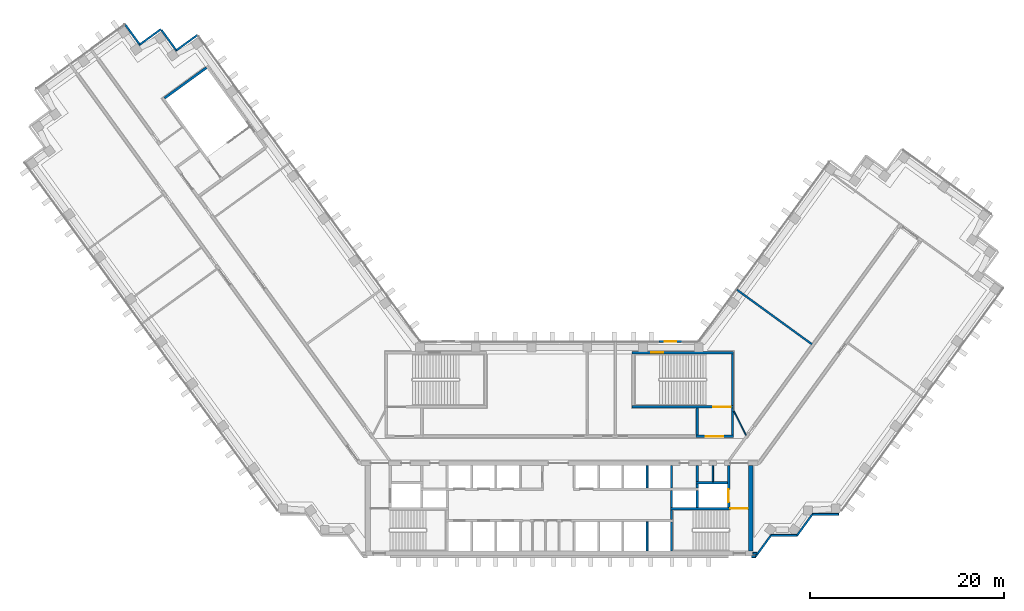
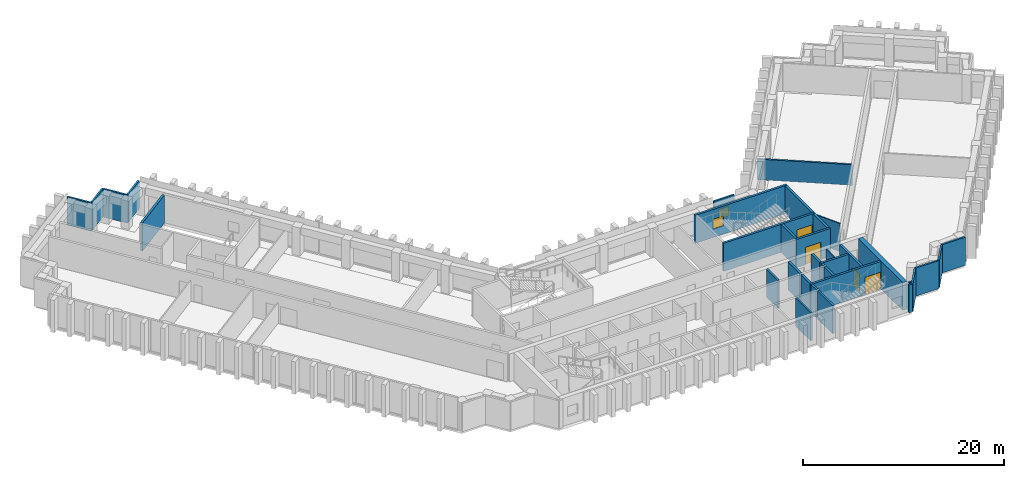
# One storey, part 7 of 11: 34 walls, 4 doors, 2 windows, 6 openings.
"""IFC4 building model written with IfcOpenShell, lengths in metres."""

from ifc_helpers import new_model, si_unit, direction, frame, frame_2d, origin, place, context, subcontext, project, spatial, rectangle, extrude, material, layer, layer_set, type_object, element, fill, save


model = new_model("IFC4")

# Units and contexts
model_context = context("Model", 3, precision=1e-05, world=origin(), true_north=direction((0.0, 1.0)))
body_context = subcontext(model_context, "Body", "Model", "MODEL_VIEW")
ifc_project = project(units=[si_unit("LENGTHUNIT", "METRE"), si_unit("AREAUNIT", "SQUARE_METRE"), si_unit("VOLUMEUNIT", "CUBIC_METRE"), si_unit("PLANEANGLEUNIT", "RADIAN"), si_unit("MASSUNIT", "GRAM", prefix="KILO")], contexts=[model_context])

# Site, building, storey
site_placement = place(None, origin())
site = spatial("IfcSite", under=ifc_project, at=site_placement, CompositionType="ELEMENT")
building_placement = place(site_placement, origin())
building = spatial("IfcBuilding", under=site, at=building_placement, Name="Quipu Civic Tower", CompositionType="ELEMENT")
storey_placement = place(building_placement, frame((0.0, 0.0, 129.0)))
storey = spatial("IfcBuildingStorey", under=building, at=storey_placement, Name="L30", CompositionType="ELEMENT", Elevation=129.0)

# Walls
ifc_material_1 = material(Name="Fired clay blockwork", Category="masonry")
ifc_layer_1 = layer(ifc_material_1, 0.199951171875)
ifc_layer_set_1 = layer_set([ifc_layer_1], Name="Fired clay blockwork")
wall_type_1 = type_object("IfcWallType", Name="Blockwork wall 200", PredefinedType="SOLIDWALL", material=ifc_layer_set_1)
wall_1_placement = place(storey_placement, frame((26.0771484375, 10.831787109375, 0.0), z_axis=(0.0, 0.0, 1.0), x_axis=(-0.809052142986, 0.587736871338, 0.0)))
element("IfcWall", 1, at=wall_1_placement, inside=storey, type_object=wall_type_1, Name="Partition P11", PredefinedType="SOLIDWALL", context=body_context, shape_type="SweptSolid", body=[
    extrude(rectangle(XDim=9.5498046875, YDim=0.199951171875, at=frame_2d((4.77490234375, 0.0))), origin(), (0.0, 0.0, 1.0), 2.5),
])
ifc_material_2 = material(Name="Concrete C70/85", Category="concrete")
ifc_layer_2 = layer(ifc_material_2, 0.25)
ifc_layer_set_2 = layer_set([ifc_layer_2], Name="Concrete C70/85")
wall_type_2 = type_object("IfcWallType", Name="Core wall 250", PredefinedType="SHEAR", material=ifc_layer_set_2)
wall_2_placement = place(storey_placement, frame((11.574951171875, -10.5, 0.0), z_axis=(0.0, 0.0, 1.0), x_axis=(0.0, 1.0, 0.0)))
element("IfcWall", 2, at=wall_2_placement, inside=storey, type_object=wall_type_2, Name="Core wall", PredefinedType="SHEAR", context=body_context, shape_type="SweptSolid", body=[
    extrude(rectangle(XDim=3.0, YDim=0.25, at=frame_2d((1.5, 0.0))), origin(), (0.0, 0.0, 1.0), 3.39990234375),
])
wall_3_placement = place(storey_placement, frame((11.574951171875, -7.25, 0.0), z_axis=(0.0, 0.0, 1.0), x_axis=(0.0, 1.0, 0.0)))
element("IfcWall", 3, at=wall_3_placement, inside=storey, type_object=wall_type_2, Name="Core wall", PredefinedType="SHEAR", context=body_context, shape_type="SweptSolid", body=[
    extrude(rectangle(XDim=1.0, YDim=0.25, at=frame_2d((0.5, 0.0))), origin(), (0.0, 0.0, 1.0), 3.39990234375),
])

# Wall, opening, door
wall_4_placement = place(storey_placement, frame((19.5, -6.125, 0.0), z_axis=(0.0, 0.0, 1.0), x_axis=(-1.0, 0.0, 0.0)))
wall_4 = element("IfcWall", 4, at=wall_4_placement, inside=storey, type_object=wall_type_2, Name="Core wall", PredefinedType="SHEAR", context=body_context, shape_type="SweptSolid", body=[
    extrude(rectangle(XDim=8.050048828125, YDim=0.25, at=frame_2d((4.02490234375, 0.0))), origin(), (0.0, 0.0, 1.0), 3.39990234375),
])
opening_1_placement = place(wall_4_placement, frame((0.050048828125, 0.0, 0.0)))
opening_1 = element("IfcOpeningElement", 5, at=opening_1_placement, cuts=wall_4, Name="Opening CD-06", PredefinedType="OPENING", context=body_context, shape_type="SweptSolid", body=[
    extrude(rectangle(XDim=1.800048828125, YDim=2.10009765625, at=frame_2d((0.89990234375, 1.050048828125))), frame((0.0, 0.135009765625, 0.0), z_axis=(0.0, -1.0, 0.0), x_axis=(1.0, 0.0, 0.0)), (0.0, 0.0, 1.0), 0.27001953125),
])
ifc_material_3 = material(Name="Fire rated steel door", Category="steel")
door_type_1 = type_object("IfcDoorType", Name="Fire door FD90 double 1800 x 2100", OperationType="NOTDEFINED", PredefinedType="DOOR", material=ifc_material_3)
door_1_placement = place(opening_1_placement, origin())
door_1 = element("IfcDoor", 6, at=door_1_placement, inside=storey, type_object=door_type_1, Name="Door", OperationType="DOUBLE_DOOR_SINGLE_SWING", OverallHeight=2.10009765625, OverallWidth=1.800048828125, PredefinedType="DOOR", context=body_context, shape_type="SweptSolid", body=[
    extrude(rectangle(XDim=1.800048828125, YDim=2.10009765625, at=frame_2d((0.89990234375, 1.050048828125))), frame((0.0, 0.02490234375, 0.0), z_axis=(0.0, -1.0, 0.0), x_axis=(1.0, 0.0, 0.0)), (0.0, 0.0, 1.0), 0.050048828125),
])
fill(opening_1, door_1)

# Walls
for number, where, z_axis, x_axis, name in (
    (7, (11.574951171875, -6.0, 0.0), (0.0, 0.0, 1.0), (0.0, 1.0, 0.0), "Core wall"),
    (8, (14.22509765625, -6.0, 0.0), (0.0, 0.0, 1.0), (0.0, 1.0, 0.0), "Core wall"),
):
    element("IfcWall", number, at=place(storey_placement, frame(where, z_axis=z_axis, x_axis=x_axis)), inside=storey, type_object=wall_type_2, Name=name, PredefinedType="SHEAR", context=body_context, shape_type="SweptSolid", body=[
        extrude(rectangle(XDim=1.75, YDim=0.25, at=frame_2d((0.875, 0.0))), origin(), (0.0, 0.0, 1.0), 3.39990234375),
    ])

# Wall, opening, door
wall_5_placement = place(storey_placement, frame((17.47509765625, -6.0, 0.0), z_axis=(0.0, 0.0, 1.0), x_axis=(0.0, 1.0, 0.0)))
wall_5 = element("IfcWall", 9, at=wall_5_placement, inside=storey, type_object=wall_type_2, Name="Core wall", PredefinedType="SHEAR", context=body_context, shape_type="SweptSolid", body=[
    extrude(rectangle(XDim=4.300048828125, YDim=0.25, at=frame_2d((2.14990234375, 0.0))), origin(), (0.0, 0.0, 1.0), 3.39990234375),
])
opening_2_placement = place(wall_5_placement, frame((0.550048828125, 0.0, 0.0)))
opening_2 = element("IfcOpeningElement", 10, at=opening_2_placement, cuts=wall_5, Name="Opening LD-FF2", PredefinedType="OPENING", context=body_context, shape_type="SweptSolid", body=[
    extrude(rectangle(XDim=1.300048828125, YDim=2.10009765625, at=frame_2d((0.64990234375, 1.050048828125))), frame((0.0, 0.135009765625, 0.0), z_axis=(0.0, -1.0, 0.0), x_axis=(1.0, 0.0, 0.0)), (0.0, 0.0, 1.0), 0.27001953125),
])
ifc_material_4 = material(Name="Stainless steel", Category="steel")
door_type_2 = type_object("IfcDoorType", Name="Lift landing door 1300 x 2100", OperationType="DOUBLE_DOOR_SLIDING", PredefinedType="DOOR", material=ifc_material_4)
door_2_placement = place(opening_2_placement, origin())
door_2 = element("IfcDoor", 11, at=door_2_placement, inside=storey, type_object=door_type_2, Name="Landing door FF2", OperationType="DOUBLE_DOOR_SLIDING", OverallHeight=2.10009765625, OverallWidth=1.300048828125, PredefinedType="DOOR", context=body_context, shape_type="SweptSolid", body=[
    extrude(rectangle(XDim=1.300048828125, YDim=2.10009765625, at=frame_2d((0.64990234375, 1.050048828125))), frame((0.0, 0.02490234375, 0.0), z_axis=(0.0, -1.0, 0.0), x_axis=(1.0, 0.0, 0.0)), (0.0, 0.0, 1.0), 0.050048828125),
])
fill(opening_2, door_2)

# Walls
wall_6_placement = place(storey_placement, frame((11.574951171875, -4.0, 0.0), z_axis=(0.0, 0.0, 1.0), x_axis=(0.0, 1.0, 0.0)))
element("IfcWall", 12, at=wall_6_placement, inside=storey, type_object=wall_type_2, Name="Core wall", PredefinedType="SHEAR", context=body_context, shape_type="SweptSolid", body=[
    extrude(rectangle(XDim=2.300048828125, YDim=0.25, at=frame_2d((1.14990234375, 0.0))), origin(), (0.0, 0.0, 1.0), 3.39990234375),
])
wall_7_placement = place(storey_placement, frame((14.22509765625, -4.0, 0.0), z_axis=(0.0, 0.0, 1.0), x_axis=(0.0, 1.0, 0.0)))
element("IfcWall", 13, at=wall_7_placement, inside=storey, type_object=wall_type_2, Name="Core wall", PredefinedType="SHEAR", context=body_context, shape_type="SweptSolid", body=[
    extrude(rectangle(XDim=0.39990234375, YDim=0.25, at=frame_2d((0.199951171875, 0.0))), origin(), (0.0, 0.0, 1.0), 3.39990234375),
])
wall_8_placement = place(storey_placement, frame((14.10009765625, -3.47509765625, 0.0), z_axis=(0.0, 0.0, 1.0), x_axis=(1.0, 0.0, 0.0)))
element("IfcWall", 14, at=wall_8_placement, inside=storey, type_object=wall_type_2, Name="Core wall", PredefinedType="SHEAR", context=body_context, shape_type="SweptSolid", body=[
    extrude(rectangle(XDim=3.25, YDim=0.25, at=frame_2d((1.625, 0.0))), origin(), (0.0, 0.0, 1.0), 3.39990234375),
])
wall_9_placement = place(storey_placement, frame((14.22509765625, -3.35009765625, 0.0), z_axis=(0.0, 0.0, 1.0), x_axis=(0.0, 1.0, 0.0)))
element("IfcWall", 15, at=wall_9_placement, inside=storey, type_object=wall_type_2, Name="Core wall", PredefinedType="SHEAR", context=body_context, shape_type="SweptSolid", body=[
    extrude(rectangle(XDim=1.650146484375, YDim=0.25, at=frame_2d((0.8251953125, 0.0))), origin(), (0.0, 0.0, 1.0), 3.39990234375),
])

# Wall, opening, door
wall_10_placement = place(storey_placement, frame((14.10009765625, 1.324951171875, 0.0), z_axis=(0.0, 0.0, 1.0), x_axis=(1.0, 0.0, 0.0)))
wall_10 = element("IfcWall", 16, at=wall_10_placement, inside=storey, type_object=wall_type_2, Name="Core wall", PredefinedType="SHEAR", context=body_context, shape_type="SweptSolid", body=[
    extrude(rectangle(XDim=3.89990234375, YDim=0.25, at=frame_2d((1.949951171875, 0.0))), origin(), (0.0, 0.0, 1.0), 3.39990234375),
])
opening_3_placement = place(wall_10_placement, frame((1.0, 0.0, 0.0)))
opening_3 = element("IfcOpeningElement", 17, at=opening_3_placement, cuts=wall_10, Name="Opening CD-18", PredefinedType="OPENING", context=body_context, shape_type="SweptSolid", body=[
    extrude(rectangle(XDim=1.800048828125, YDim=2.10009765625, at=frame_2d((0.89990234375, 1.050048828125))), frame((0.0, 0.135009765625, 0.0), z_axis=(0.0, -1.0, 0.0), x_axis=(1.0, 0.0, 0.0)), (0.0, 0.0, 1.0), 0.27001953125),
])
door_3_placement = place(opening_3_placement, origin())
door_3 = element("IfcDoor", 18, at=door_3_placement, inside=storey, type_object=door_type_1, Name="Lobby door", OperationType="DOUBLE_DOOR_SINGLE_SWING", OverallHeight=2.10009765625, OverallWidth=1.800048828125, PredefinedType="DOOR", context=body_context, shape_type="SweptSolid", body=[
    extrude(rectangle(XDim=1.800048828125, YDim=2.10009765625, at=frame_2d((0.89990234375, 1.050048828125))), frame((0.0, 0.02490234375, 0.0), z_axis=(0.0, -1.0, 0.0), x_axis=(1.0, 0.0, 0.0)), (0.0, 0.0, 1.0), 0.050048828125),
])
fill(opening_3, door_3)

# Walls
for number, where, z_axis, x_axis, name in (
    (19, (14.22509765625, 1.449951171875, 0.0), (0.0, 0.0, 1.0), (0.0, 1.0, 0.0), "Core wall"),
    (20, (17.875, 1.449951171875, 0.0), (0.0, 0.0, 1.0), (0.0, 1.0, 0.0), "Core wall"),
):
    element("IfcWall", number, at=place(storey_placement, frame(where, z_axis=z_axis, x_axis=x_axis)), inside=storey, type_object=wall_type_2, Name=name, PredefinedType="SHEAR", context=body_context, shape_type="SweptSolid", body=[
        extrude(rectangle(XDim=2.800048828125, YDim=0.25, at=frame_2d((1.39990234375, 0.0))), origin(), (0.0, 0.0, 1.0), 3.39990234375),
    ])

# Wall, opening, door
wall_11_placement = place(storey_placement, frame((7.5, 4.375, 0.0), z_axis=(0.0, 0.0, 1.0), x_axis=(1.0, 0.0, 0.0)))
wall_11 = element("IfcWall", 21, at=wall_11_placement, inside=storey, type_object=wall_type_2, Name="Core wall", PredefinedType="SHEAR", context=body_context, shape_type="SweptSolid", body=[
    extrude(rectangle(XDim=10.5, YDim=0.25, at=frame_2d((5.25, 0.0))), origin(), (0.0, 0.0, 1.0), 3.39990234375),
])
opening_4_placement = place(wall_11_placement, frame((8.39990234375, 0.0, 0.0)))
opening_4 = element("IfcOpeningElement", 22, at=opening_4_placement, cuts=wall_11, Name="Opening CD-19", PredefinedType="OPENING", context=body_context, shape_type="SweptSolid", body=[
    extrude(rectangle(XDim=1.800048828125, YDim=2.10009765625, at=frame_2d((0.89990234375, 1.050048828125))), frame((0.0, 0.135009765625, 0.0), z_axis=(0.0, -1.0, 0.0), x_axis=(1.0, 0.0, 0.0)), (0.0, 0.0, 1.0), 0.27001953125),
])
door_4_placement = place(opening_4_placement, origin())
door_4 = element("IfcDoor", 23, at=door_4_placement, inside=storey, type_object=door_type_1, Name="Door", OperationType="DOUBLE_DOOR_SINGLE_SWING", OverallHeight=2.10009765625, OverallWidth=1.800048828125, PredefinedType="DOOR", context=body_context, shape_type="SweptSolid", body=[
    extrude(rectangle(XDim=1.800048828125, YDim=2.10009765625, at=frame_2d((0.89990234375, 1.050048828125))), frame((0.0, 0.02490234375, 0.0), z_axis=(0.0, -1.0, 0.0), x_axis=(1.0, 0.0, 0.0)), (0.0, 0.0, 1.0), 0.050048828125),
])
fill(opening_4, door_4)

# Wall
wall_12_placement = place(storey_placement, frame((17.875, 4.5, 0.0), z_axis=(0.0, 0.0, 1.0), x_axis=(0.0, 1.0, 0.0)))
element("IfcWall", 24, at=wall_12_placement, inside=storey, type_object=wall_type_2, Name="Core wall", PredefinedType="SHEAR", context=body_context, shape_type="SweptSolid", body=[
    extrude(rectangle(XDim=5.35009765625, YDim=0.25, at=frame_2d((2.675048828125, 0.0))), origin(), (0.0, 0.0, 1.0), 3.39990234375),
])

# Wall, opening, window
wall_13_placement = place(storey_placement, frame((7.5, 9.97509765625, 0.0), z_axis=(0.0, 0.0, 1.0), x_axis=(1.0, 0.0, 0.0)))
wall_13 = element("IfcWall", 25, at=wall_13_placement, inside=storey, type_object=wall_type_2, Name="Core wall", PredefinedType="SHEAR", context=body_context, shape_type="SweptSolid", body=[
    extrude(rectangle(XDim=10.5, YDim=0.25, at=frame_2d((5.25, 0.0))), origin(), (0.0, 0.0, 1.0), 3.39990234375),
])
opening_5_placement = place(wall_13_placement, frame((2.0, 0.0, 1.0)))
opening_5 = element("IfcOpeningElement", 26, at=opening_5_placement, cuts=wall_13, Name="Opening SV-4", PredefinedType="OPENING", context=body_context, shape_type="SweptSolid", body=[
    extrude(rectangle(XDim=1.199951171875, YDim=1.199951171875, at=frame_2d((0.60009765625, 0.60009765625))), frame((0.0, 0.135009765625, 0.0), z_axis=(0.0, -1.0, 0.0), x_axis=(1.0, 0.0, 0.0)), (0.0, 0.0, 1.0), 0.27001953125),
])
ifc_material_5 = material(Name="Aluminium louvre", Category="aluminium")
window_type_1 = type_object("IfcWindowType", Name="Stair ventilation louvre 1200 x 1200", PartitioningType="SINGLE_PANEL", PredefinedType="WINDOW", material=ifc_material_5)
window_1_placement = place(opening_5_placement, origin())
window_1 = element("IfcWindow", 27, at=window_1_placement, inside=storey, type_object=window_type_1, Name="Stair ventilation opening", OverallHeight=1.199951171875, OverallWidth=1.199951171875, PartitioningType="SINGLE_PANEL", PredefinedType="WINDOW", context=body_context, shape_type="SweptSolid", body=[
    extrude(rectangle(XDim=1.199951171875, YDim=1.199951171875, at=frame_2d((0.60009765625, 0.60009765625))), frame((0.0, 0.030029296875, 0.0), z_axis=(0.0, -1.0, 0.0), x_axis=(1.0, 0.0, 0.0)), (0.0, 0.0, 1.0), 0.06005859375),
])
fill(opening_5, window_1)

# Walls
wall_14_placement = place(storey_placement, frame((-36.43896484375, 39.384033203125, 0.0), z_axis=(0.0, 0.0, 1.0), x_axis=(-0.809020161303, -0.587780893365, 0.0)))
element("IfcWall", 28, at=wall_14_placement, inside=storey, type_object=wall_type_2, Name="Core wall", PredefinedType="SHEAR", context=body_context, shape_type="SweptSolid", body=[
    extrude(rectangle(XDim=5.349853515625, YDim=0.25, at=frame_2d((2.6748046875, 0.0))), origin(), (0.0, 0.0, 1.0), 3.39990234375),
])
ifc_material_6 = material(Name="Concrete C70/85", Category="concrete")
ifc_layer_3 = layer(ifc_material_6, 0.5)
ifc_layer_set_3 = layer_set([ifc_layer_3], Name="Concrete C70/85")
wall_type_3 = type_object("IfcWallType", Name="Core wall 500", PredefinedType="SHEAR", material=ifc_layer_set_3)
wall_15_placement = place(storey_placement, frame((19.75, -10.5, 0.0), z_axis=(0.0, 0.0, 1.0), x_axis=(0.0, 1.0, 0.0)))
element("IfcWall", 29, at=wall_15_placement, inside=storey, type_object=wall_type_3, Name="Core wall", PredefinedType="SHEAR", context=body_context, shape_type="SweptSolid", body=[
    extrude(rectangle(XDim=8.800048828125, YDim=0.5, at=frame_2d((4.39990234375, 0.0))), origin(), (0.0, 0.0, 1.0), 3.39990234375),
])
ifc_material_7 = material(Name="Gypsum plasterboard on light gauge framing")
ifc_layer_4 = layer(ifc_material_7, 0.1201171875)
ifc_layer_set_4 = layer_set([ifc_layer_4], Name="Gypsum plasterboard on light gauge framing")
wall_type_4 = type_object("IfcWallType", Name="Partition 120 plasterboard", PredefinedType="PARTITIONING", material=ifc_layer_set_4)
wall_16_placement = place(storey_placement, frame((18.0, 3.925048828125, 0.0), z_axis=(0.0, 0.0, 1.0), x_axis=(0.453950796792, -0.891026752736, 0.0)))
element("IfcWall", 30, at=wall_16_placement, inside=storey, type_object=wall_type_4, Name="Partition P13", PredefinedType="PARTITIONING", context=body_context, shape_type="SweptSolid", body=[
    extrude(rectangle(XDim=2.77783203125, YDim=0.1201171875, at=frame_2d((1.388916015625, 0.0))), origin(), (0.0, 0.0, 1.0), 3.39990234375),
])
ifc_material_8 = material(Name="Gypsum board partition")
ifc_layer_5 = layer(ifc_material_8, 0.14990234375)
ifc_layer_set_5 = layer_set([ifc_layer_5], Name="Gypsum board partition")
wall_type_5 = type_object("IfcWallType", Name="Partition 150", PredefinedType="PARTITIONING", material=ifc_layer_set_5)
wall_17_placement = place(storey_placement, frame((15.85009765625, -3.35009765625, 0.0), z_axis=(0.0, 0.0, 1.0), x_axis=(0.0, 1.0, 0.0)))
element("IfcWall", 31, at=wall_17_placement, inside=storey, type_object=wall_type_5, Name="Partition", PredefinedType="PARTITIONING", context=body_context, shape_type="SweptSolid", body=[
    extrude(rectangle(XDim=1.650146484375, YDim=0.14990234375, at=frame_2d((0.8251953125, 0.0))), origin(), (0.0, 0.0, 1.0), 3.39990234375),
])
ifc_material_9 = material(Name="Precast concrete C40/50", Category="concrete")
wall_type_6 = type_object("IfcWallType", Name="Precast cladding wall", PredefinedType="SOLIDWALL", material=ifc_material_9)
wall_18_placement = place(storey_placement, frame((-37.352783203125, 42.768310546875, 0.0), z_axis=(0.0, 0.0, 1.0), x_axis=(-0.809033161865, -0.587762999008, 0.0)))
element("IfcWall", 32, at=wall_18_placement, inside=storey, type_object=wall_type_6, Name="Precast cladding wall L30 P02", PredefinedType="SOLIDWALL", context=body_context, shape_type="SweptSolid", body=[
    extrude(rectangle(XDim=2.699951171875, YDim=0.199951171875, at=frame_2d((1.35009765625, 0.0))), origin(), (0.0, 0.0, 1.0), 3.39990234375),
])
wall_19_placement = place(storey_placement, frame((-39.488037109375, 41.093505859375, 0.0), z_axis=(0.0, 0.0, 1.0), x_axis=(-0.587806000234, 0.809001919707, 0.0)))
element("IfcWall", 33, at=wall_19_placement, inside=storey, type_object=wall_type_6, Name="Precast cladding wall L30 P03", PredefinedType="SOLIDWALL", context=body_context, shape_type="SweptSolid", body=[
    extrude(rectangle(XDim=2.69970703125, YDim=0.199951171875, at=frame_2d((1.349853515625, 0.0))), origin(), (0.0, 0.0, 1.0), 3.39990234375),
])
for number, where, z_axis, x_axis, name in (
    (34, (-41.1240234375, 43.36572265625, 0.0), (0.0, 0.0, 1.0), (-0.809033161865, -0.587762999008, 0.0), "Precast cladding wall L30 P04"),
    (35, (-43.25927734375, 41.690673828125, 0.0), (0.0, 0.0, 1.0), (-0.587822180636, 0.808990163075, 0.0), "Precast cladding wall L30 P05"),
):
    element("IfcWall", number, at=place(storey_placement, frame(where, z_axis=z_axis, x_axis=x_axis)), inside=storey, type_object=wall_type_6, Name=name, PredefinedType="SOLIDWALL", context=body_context, shape_type="SweptSolid", body=[
        extrude(rectangle(XDim=2.699951171875, YDim=0.199951171875, at=frame_2d((1.35009765625, 0.0))), origin(), (0.0, 0.0, 1.0), 3.39990234375),
    ])
wall_20_placement = place(storey_placement, frame((19.85009765625, -11.087890625, 0.0), z_axis=(0.0, 0.0, 1.0), x_axis=(1.0, 0.0, 0.0)))
element("IfcWall", 36, at=wall_20_placement, inside=storey, type_object=wall_type_6, Name="Precast cladding wall L30 P19", PredefinedType="SOLIDWALL", context=body_context, shape_type="SweptSolid", body=[
    extrude(rectangle(XDim=0.40576171875, YDim=0.199951171875, at=frame_2d((0.202880859375, 0.0))), origin(), (0.0, 0.0, 1.0), 3.39990234375),
])
wall_21_placement = place(storey_placement, frame((20.253173828125, -11.083251953125, 0.0), z_axis=(0.0, 0.0, 1.0), x_axis=(0.587766567315, 0.809030569476, 0.0)))
element("IfcWall", 37, at=wall_21_placement, inside=storey, type_object=wall_type_6, Name="Precast cladding wall L30 P20", PredefinedType="SOLIDWALL", context=body_context, shape_type="SweptSolid", body=[
    extrude(rectangle(XDim=2.687744140625, YDim=0.199951171875, at=frame_2d((1.34375, 0.0))), origin(), (0.0, 0.0, 1.0), 3.39990234375),
])
wall_22_placement = place(storey_placement, frame((21.8427734375, -8.90380859375, 0.0), z_axis=(0.0, 0.0, 1.0), x_axis=(1.0, 0.0, 0.0)))
element("IfcWall", 38, at=wall_22_placement, inside=storey, type_object=wall_type_6, Name="Precast cladding wall L30 P21", PredefinedType="SOLIDWALL", context=body_context, shape_type="SweptSolid", body=[
    extrude(rectangle(XDim=2.699951171875, YDim=0.199951171875, at=frame_2d((1.35009765625, 0.0))), origin(), (0.0, 0.0, 1.0), 3.39990234375),
])
wall_23_placement = place(storey_placement, frame((24.533203125, -8.90869140625, 0.0), z_axis=(0.0, 0.0, 1.0), x_axis=(0.587720002413, 0.809064397168, 0.0)))
element("IfcWall", 39, at=wall_23_placement, inside=storey, type_object=wall_type_6, Name="Precast cladding wall L30 P22", PredefinedType="SOLIDWALL", context=body_context, shape_type="SweptSolid", body=[
    extrude(rectangle(XDim=2.7001953125, YDim=0.199951171875, at=frame_2d((1.35009765625, 0.0))), origin(), (0.0, 0.0, 1.0), 3.39990234375),
])
wall_24_placement = place(storey_placement, frame((26.1298828125, -6.71923828125, 0.0), z_axis=(0.0, 0.0, 1.0), x_axis=(1.0, 0.0, 0.0)))
element("IfcWall", 40, at=wall_24_placement, inside=storey, type_object=wall_type_6, Name="Precast cladding wall L30 P23", PredefinedType="SOLIDWALL", context=body_context, shape_type="SweptSolid", body=[
    extrude(rectangle(XDim=2.699951171875, YDim=0.199951171875, at=frame_2d((1.35009765625, 0.0))), origin(), (0.0, 0.0, 1.0), 3.39990234375),
])

# Wall, opening, window
wall_25_placement = place(storey_placement, frame((12.655029296875, 11.10009765625, 0.0), z_axis=(0.0, 0.0, 1.0), x_axis=(-1.0, 0.0, 0.0)))
wall_25 = element("IfcWall", 41, at=wall_25_placement, inside=storey, type_object=wall_type_6, Name="Vent surround SF-L28-2", PredefinedType="SOLIDWALL", context=body_context, shape_type="SweptSolid", body=[
    extrude(rectangle(XDim=2.3916015625, YDim=0.199951171875, at=frame_2d((1.19580078125, 0.0))), origin(), (0.0, 0.0, 1.0), 3.39990234375),
])
opening_6_placement = place(wall_25_placement, frame((0.595703125, 0.0, 1.0)))
opening_6 = element("IfcOpeningElement", 42, at=opening_6_placement, cuts=wall_25, Name="Opening SF-L28-2", PredefinedType="OPENING", context=body_context, shape_type="SweptSolid", body=[
    extrude(rectangle(XDim=1.199951171875, YDim=1.199951171875, at=frame_2d((0.60009765625, 0.60009765625))), frame((0.0, 0.10986328125, 0.0), z_axis=(0.0, -1.0, 0.0), x_axis=(1.0, 0.0, 0.0)), (0.0, 0.0, 1.0), 0.219970703125),
])
ifc_material_10 = material(Name="Anodised aluminium louvre", Category="aluminium")
window_type_2 = type_object("IfcWindowType", Name="Stair vent louvre window P3", PartitioningType="SINGLE_PANEL", PredefinedType="WINDOW", material=ifc_material_10)
window_2_placement = place(opening_6_placement, origin())
window_2 = element("IfcWindow", 43, at=window_2_placement, inside=storey, type_object=window_type_2, Name="Stair vent louvre SF-L28-2", OverallHeight=1.199951171875, OverallWidth=1.199951171875, PartitioningType="SINGLE_PANEL", PredefinedType="WINDOW", context=body_context, shape_type="SweptSolid", body=[
    extrude(rectangle(XDim=1.199951171875, YDim=1.199951171875, at=frame_2d((0.60009765625, 0.60009765625))), frame((0.0, 0.030029296875, 0.0), z_axis=(0.0, -1.0, 0.0), x_axis=(1.0, 0.0, 0.0)), (0.0, 0.0, 1.0), 0.06005859375),
])
fill(opening_6, window_2)

# Walls
wall_26_placement = place(storey_placement, frame((19.97998046875, -10.75, 0.0), z_axis=(0.0, 0.0, 1.0), x_axis=(1.0, 0.0, 0.0)))
element("IfcWall", 44, at=wall_26_placement, inside=storey, type_object=wall_type_6, Name="Precast cladding return L30 E", PredefinedType="SOLIDWALL", context=body_context, shape_type="SweptSolid", body=[
    extrude(rectangle(XDim=0.41650390625, YDim=0.199951171875, at=frame_2d((0.208251953125, 0.0))), origin(), (0.0, 0.0, 1.0), 3.39990234375),
])
ifc_material_11 = material(Name="Concrete C40/50", Category="concrete")
ifc_layer_6 = layer(ifc_material_11, 0.199951171875)
ifc_layer_set_6 = layer_set([ifc_layer_6], Name="Concrete C40/50")
wall_type_7 = type_object("IfcWallType", Name="Shaft wall 200", PredefinedType="SOLIDWALL", material=ifc_layer_set_6)
wall_27_placement = place(storey_placement, frame((9.050048828125, -10.5, 0.0), z_axis=(0.0, 0.0, 1.0), x_axis=(0.0, 1.0, 0.0)))
element("IfcWall", 45, at=wall_27_placement, inside=storey, type_object=wall_type_7, Name="Shaft wall", PredefinedType="SOLIDWALL", context=body_context, shape_type="SweptSolid", body=[
    extrude(rectangle(XDim=3.0, YDim=0.199951171875, at=frame_2d((1.5, 0.0))), origin(), (0.0, 0.0, 1.0), 3.39990234375),
])
wall_28_placement = place(storey_placement, frame((9.050048828125, -4.0, 0.0), z_axis=(0.0, 0.0, 1.0), x_axis=(0.0, 1.0, 0.0)))
element("IfcWall", 46, at=wall_28_placement, inside=storey, type_object=wall_type_7, Name="Shaft wall", PredefinedType="SOLIDWALL", context=body_context, shape_type="SweptSolid", body=[
    extrude(rectangle(XDim=2.300048828125, YDim=0.199951171875, at=frame_2d((1.14990234375, 0.0))), origin(), (0.0, 0.0, 1.0), 3.39990234375),
])

save(model, "model.ifc")
